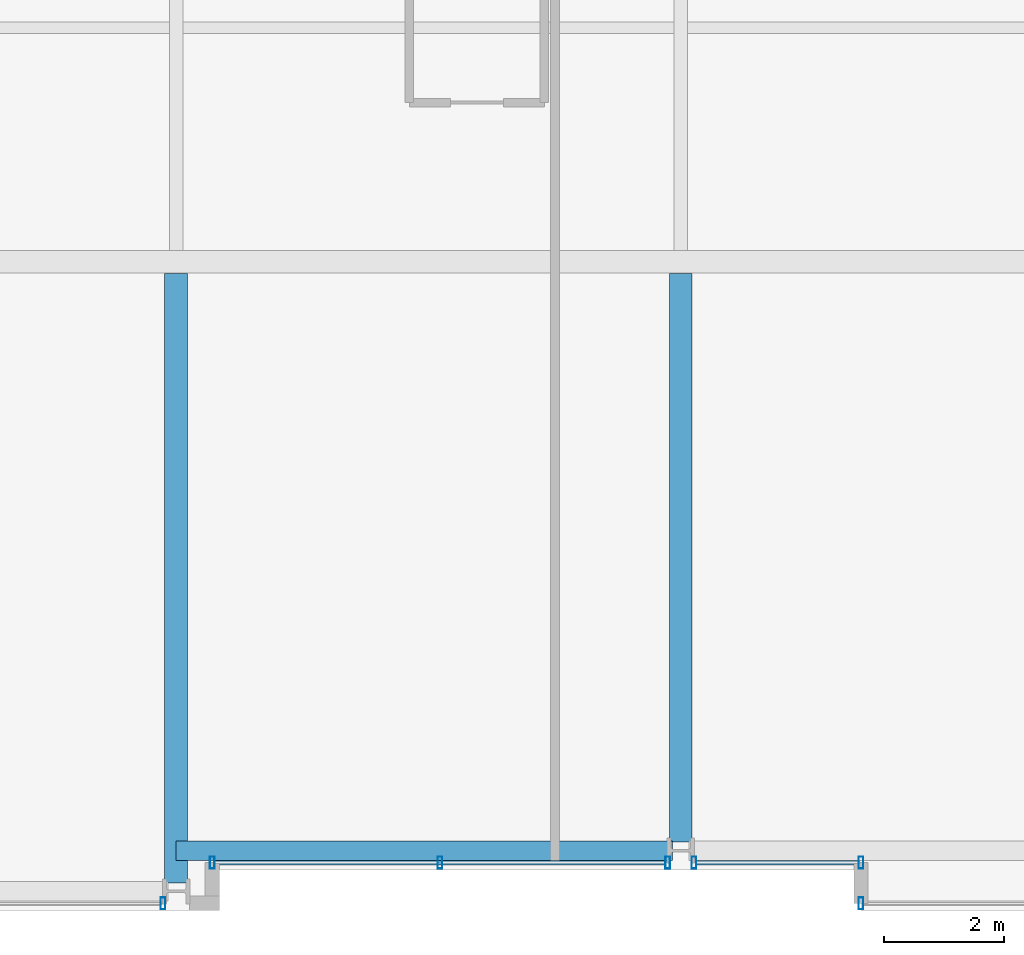
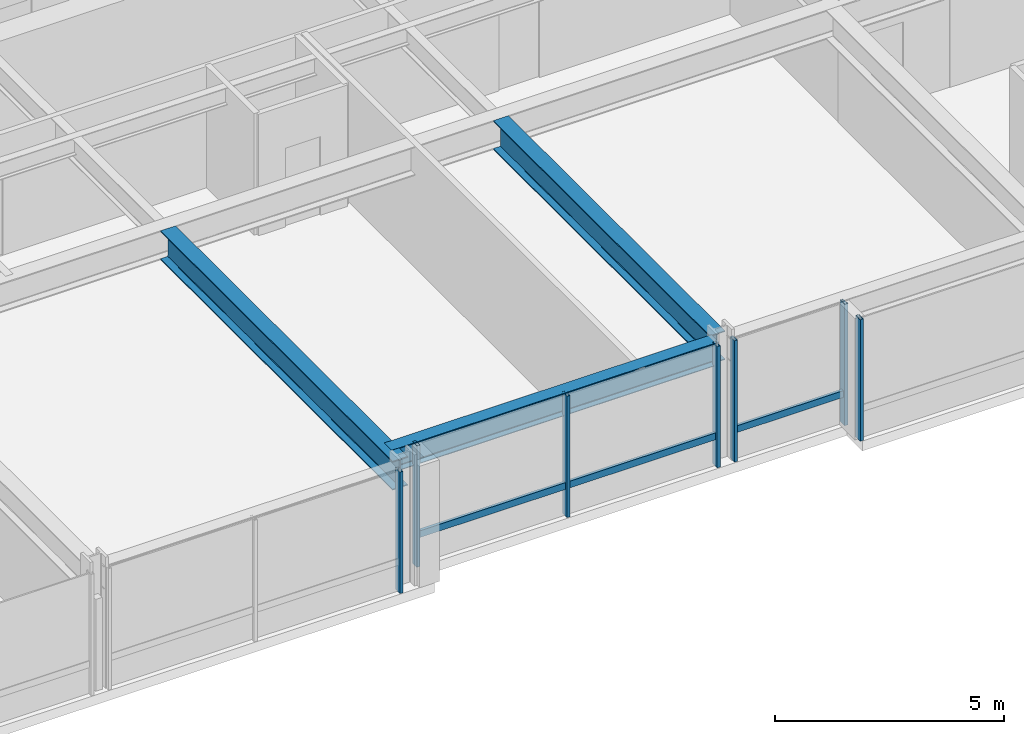
# One storey, part 5 of 33: 9 members, 3 beams, 4 elements without a shape of their own.
"""IFC4 building model written with IfcOpenShell, lengths in metres."""

from ifc_helpers import new_model, si_unit, direction, frame, origin, origin_2d, place, context, subcontext, project, spatial, hollow_rectangle, i_section, extrude, material, layer, layer_set, material_profile, profile_set, type_object, element, aggregate, save


model = new_model("IFC4")

# Units and contexts
model_context = context("Model", 3, precision=1e-05, world=origin(), true_north=direction((0.0, 1.0)))
body_context = subcontext(model_context, "Body", "Model", "MODEL_VIEW")
ifc_project = project(units=[si_unit("LENGTHUNIT", "METRE"), si_unit("AREAUNIT", "SQUARE_METRE"), si_unit("VOLUMEUNIT", "CUBIC_METRE"), si_unit("PLANEANGLEUNIT", "RADIAN"), si_unit("MASSUNIT", "GRAM", prefix="KILO")], contexts=[model_context])

# Site, building, storey
site_placement = place(None, origin())
site = spatial("IfcSite", under=ifc_project, at=site_placement, CompositionType="ELEMENT")
building_placement = place(site_placement, origin())
building = spatial("IfcBuilding", under=site, at=building_placement, Name="Drelvath Grand Hotel", CompositionType="ELEMENT")
storey_placement = place(building_placement, frame((0.0, 0.0, 105.800048828125)))
storey = spatial("IfcBuildingStorey", under=building, at=storey_placement, Name="L26", CompositionType="ELEMENT", Elevation=105.800048828125)

# Curtain wall, member
ifc_material_1 = material(Name="Champagne Bronze Anodised Aluminium Frame", Category="aluminium")
ifc_layer = layer(ifc_material_1, 0.199951171875)
ifc_layer_set = layer_set([ifc_layer], Name="Champagne Bronze Anodised Aluminium Frame")
curtain_wall_type = type_object("IfcCurtainWallType", Name="Stick Curtain Wall CW-03 Champagne Bronze Mid-Rise", PredefinedType="NOTDEFINED", material=ifc_layer_set)
curtain_wall_1_placement = place(storey_placement, origin())
curtain_wall_1 = element("IfcCurtainWall", 1, at=curtain_wall_1_placement, inside=storey, type_object=curtain_wall_type, Name="L26 CW-03 Curtain Wall CW03-L26-SM1", PredefinedType="NOTDEFINED")
ifc_material_profile_1 = material_profile(ifc_material_1, hollow_rectangle(XDim=0.074951171875, YDim=0.179931640625, WallThickness=0.0048828125, at=origin_2d()), Name="HSS180X75X5")
ifc_profile_set_1 = profile_set([ifc_material_profile_1], Name="Champagne Bronze Anodised Aluminium Frame")
member_type_1 = type_object("IfcMemberType", Name="Curtain Wall Horizontal Transom CW-03 HSS180X75X5", PredefinedType="USERDEFINED", material=ifc_profile_set_1)
member_1_placement = place(storey_placement, frame((-0.259521484375, 0.800048828125, 0.81005859375), z_axis=(-1.0, 0.0, 0.0), x_axis=(0.0, -1.0, 0.0)))
member_1 = element("IfcMember", 2, at=member_1_placement, type_object=member_type_1, Name="CW03-L26-SM1 Sill Transom", ObjectType="TRANSOM", PredefinedType="USERDEFINED", context=body_context, shape_type="SweptSolid", body=[
    extrude(hollow_rectangle(XDim=0.074951171875, YDim=0.179931640625, WallThickness=0.0048828125, at=origin_2d()), origin(), (0.0, 0.0, 1.0), 7.50048828125),
])

curtain_wall_2_placement = place(storey_placement, origin())
curtain_wall_2 = element("IfcCurtainWall", 3, at=curtain_wall_2_placement, inside=storey, type_object=curtain_wall_type, Name="L26 CW-03 Curtain Wall CW03-L26-SM2", PredefinedType="NOTDEFINED")
member_2_placement = place(storey_placement, frame((2.9599609375, 0.800048828125, 0.81005859375), z_axis=(-1.0, 0.0, 0.0), x_axis=(0.0, -1.0, 0.0)))
member_2 = element("IfcMember", 4, at=member_2_placement, type_object=member_type_1, Name="CW03-L26-SM2 Sill Transom", ObjectType="TRANSOM", PredefinedType="USERDEFINED", context=body_context, shape_type="SweptSolid", body=[
    extrude(hollow_rectangle(XDim=0.074951171875, YDim=0.179931640625, WallThickness=0.0048828125, at=origin_2d()), origin(), (0.0, 0.0, 1.0), 2.700439453125),
])

curtain_wall_3_placement = place(storey_placement, origin())
curtain_wall_3 = element("IfcCurtainWall", 5, at=curtain_wall_3_placement, inside=storey, type_object=curtain_wall_type, Name="L26 CW-03 Curtain Wall CW03-L26-SE1", PredefinedType="NOTDEFINED")
ifc_material_profile_2 = material_profile(ifc_material_1, hollow_rectangle(XDim=0.080078125, YDim=0.199951171875, WallThickness=0.0048828125, at=origin_2d()), Name="HSS200X80X5")
ifc_profile_set_2 = profile_set([ifc_material_profile_2], Name="Champagne Bronze Anodised Aluminium Frame")
member_type_2 = type_object("IfcMemberType", Name="Curtain Wall Vertical Mullion CW-03 HSS200X80X5", PredefinedType="MULLION", material=ifc_profile_set_2)
member_3_placement = place(storey_placement, frame((3.0, 0.1201171875, 0.0), z_axis=(0.0, 0.0, 1.0), x_axis=(1.0, 0.0, 0.0)))
member_3 = element("IfcMember", 6, at=member_3_placement, type_object=member_type_2, Name="CW03-L26-SE1 Mullion 2", PredefinedType="MULLION", context=body_context, shape_type="SweptSolid", body=[
    extrude(hollow_rectangle(XDim=0.080078125, YDim=0.199951171875, WallThickness=0.0048828125, at=origin_2d()), origin(), (0.0, 0.0, 1.0), 3.239990234375),
])
aggregate(curtain_wall_3, [member_3])

# Member
member_4_placement = place(storey_placement, frame((-0.219482421875, 0.800048828125, 0.0), z_axis=(0.0, 0.0, 1.0), x_axis=(1.0, 0.0, 0.0)))
member_4 = element("IfcMember", 7, at=member_4_placement, type_object=member_type_2, Name="CW03-L26-SM1 Mullion 1", PredefinedType="MULLION", context=body_context, shape_type="SweptSolid", body=[
    extrude(hollow_rectangle(XDim=0.080078125, YDim=0.199951171875, WallThickness=0.0048828125, at=origin_2d()), origin(), (0.0, 0.0, 1.0), 3.239990234375),
])

member_5_placement = place(storey_placement, frame((-4.009765625, 0.800048828125, 0.0), z_axis=(0.0, 0.0, 1.0), x_axis=(1.0, 0.0, 0.0)))
member_5 = element("IfcMember", 8, at=member_5_placement, type_object=member_type_2, Name="CW03-L26-SM1 Mullion 2", PredefinedType="MULLION", context=body_context, shape_type="SweptSolid", body=[
    extrude(hollow_rectangle(XDim=0.080078125, YDim=0.199951171875, WallThickness=0.0048828125, at=origin_2d()), origin(), (0.0, 0.0, 1.0), 3.239990234375),
])

member_6_placement = place(storey_placement, frame((-7.800048828125, 0.800048828125, 0.0), z_axis=(0.0, 0.0, 1.0), x_axis=(1.0, 0.0, 0.0)))
member_6 = element("IfcMember", 9, at=member_6_placement, type_object=member_type_2, Name="CW03-L26-SM1 Mullion 3", PredefinedType="MULLION", context=body_context, shape_type="SweptSolid", body=[
    extrude(hollow_rectangle(XDim=0.080078125, YDim=0.199951171875, WallThickness=0.0048828125, at=origin_2d()), origin(), (0.0, 0.0, 1.0), 3.239990234375),
])

aggregate(curtain_wall_1, [member_4, member_5, member_6, member_1])

member_7_placement = place(storey_placement, frame((3.0, 0.800048828125, 0.0), z_axis=(0.0, 0.0, 1.0), x_axis=(1.0, 0.0, 0.0)))
member_7 = element("IfcMember", 10, at=member_7_placement, type_object=member_type_2, Name="CW03-L26-SM2 Mullion 1", PredefinedType="MULLION", context=body_context, shape_type="SweptSolid", body=[
    extrude(hollow_rectangle(XDim=0.080078125, YDim=0.199951171875, WallThickness=0.0048828125, at=origin_2d()), origin(), (0.0, 0.0, 1.0), 3.239990234375),
])

member_8_placement = place(storey_placement, frame((0.219482421875, 0.800048828125, 0.0), z_axis=(0.0, 0.0, 1.0), x_axis=(1.0, 0.0, 0.0)))
member_8 = element("IfcMember", 11, at=member_8_placement, type_object=member_type_2, Name="CW03-L26-SM2 Mullion 2", PredefinedType="MULLION", context=body_context, shape_type="SweptSolid", body=[
    extrude(hollow_rectangle(XDim=0.080078125, YDim=0.199951171875, WallThickness=0.0048828125, at=origin_2d()), origin(), (0.0, 0.0, 1.0), 3.239990234375),
])

aggregate(curtain_wall_2, [member_7, member_8, member_2])

# Curtain wall, member
curtain_wall_4_placement = place(storey_placement, origin())
curtain_wall_4 = element("IfcCurtainWall", 12, at=curtain_wall_4_placement, inside=storey, type_object=curtain_wall_type, Name="L26 CW-03 Curtain Wall CW03-L26-SW2", PredefinedType="NOTDEFINED")
member_9_placement = place(storey_placement, frame((-8.61962890625, 0.1201171875, 0.0), z_axis=(0.0, 0.0, 1.0), x_axis=(1.0, 0.0, 0.0)))
member_9 = element("IfcMember", 13, at=member_9_placement, type_object=member_type_2, Name="CW03-L26-SW2 Mullion 1", PredefinedType="MULLION", context=body_context, shape_type="SweptSolid", body=[
    extrude(hollow_rectangle(XDim=0.080078125, YDim=0.199951171875, WallThickness=0.0048828125, at=origin_2d()), origin(), (0.0, 0.0, 1.0), 3.239990234375),
])
aggregate(curtain_wall_4, [member_9])

# Beams
ifc_material_2 = material(Name="Steel ASTM A992 Gr 50", Category="steel")
ifc_material_profile_3 = material_profile(ifc_material_2, i_section(OverallWidth=0.323974609375, OverallDepth=0.611083984375, WebThickness=0.0126953125, FlangeThickness=0.01904296875, FilletRadius=0.02197265625, at=origin_2d()), Name="W24X104")
ifc_profile_set_3 = profile_set([ifc_material_profile_3], Name="Steel ASTM A992 Gr 50")
beam_type_1 = type_object("IfcBeamType", Name="Perimeter Spandrel Beam W24X104", PredefinedType="SPANDREL", material=ifc_profile_set_3)
beam_1_placement = place(storey_placement, frame((-8.39990234375, 1.0, 2.9345703125), z_axis=(1.0, 0.0, 0.0), x_axis=(0.0, 1.0, 0.0)))
element("IfcBeam", 14, at=beam_1_placement, inside=storey, type_object=beam_type_1, Name="L26 Spandrel South Mid W", PredefinedType="SPANDREL", context=body_context, shape_type="SweptSolid", body=[
    extrude(i_section(OverallWidth=0.323974609375, OverallDepth=0.611083984375, WebThickness=0.0126953125, FlangeThickness=0.01904296875, FilletRadius=0.02197265625, at=origin_2d()), origin(), (0.0, 0.0, 1.0), 8.260009765625),
])
ifc_material_profile_4 = material_profile(ifc_material_2, i_section(OverallWidth=0.380615234375, OverallDepth=0.773193359375, WebThickness=0.0166015625, FlangeThickness=0.027099609375, FilletRadius=0.02490234375, at=origin_2d()), Name="W30X173")
ifc_profile_set_4 = profile_set([ifc_material_profile_4], Name="Steel ASTM A992 Gr 50")
beam_type_2 = type_object("IfcBeamType", Name="Primary Floor Girder W30X173", PredefinedType="BEAM", material=ifc_profile_set_4)
beam_2_placement = place(storey_placement, frame((-8.39990234375, 0.4599609375, 2.853271484375), z_axis=(0.0, 1.0, 0.0), x_axis=(-1.0, 0.0, 0.0)))
element("IfcBeam", 15, at=beam_2_placement, inside=storey, type_object=beam_type_2, Name="L26 South Wing Girder 4", PredefinedType="BEAM", context=body_context, shape_type="SweptSolid", body=[
    extrude(i_section(OverallWidth=0.380615234375, OverallDepth=0.773193359375, WebThickness=0.0166015625, FlangeThickness=0.027099609375, FilletRadius=0.02490234375, at=origin_2d()), origin(), (0.0, 0.0, 1.0), 10.149658203125),
])
beam_3_placement = place(storey_placement, frame((0.0, 1.139892578125, 2.853271484375), z_axis=(0.0, 1.0, 0.0), x_axis=(-1.0, 0.0, 0.0)))
element("IfcBeam", 16, at=beam_3_placement, inside=storey, type_object=beam_type_2, Name="L26 South Wing Girder 5", PredefinedType="BEAM", context=body_context, shape_type="SweptSolid", body=[
    extrude(i_section(OverallWidth=0.380615234375, OverallDepth=0.773193359375, WebThickness=0.0166015625, FlangeThickness=0.027099609375, FilletRadius=0.02490234375, at=origin_2d()), origin(), (0.0, 0.0, 1.0), 9.4697265625),
])

save(model, "model.ifc")
